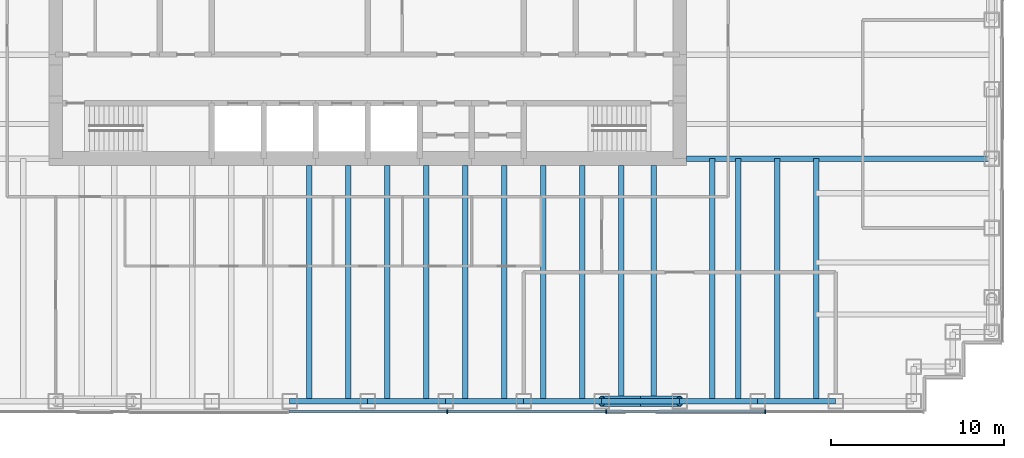
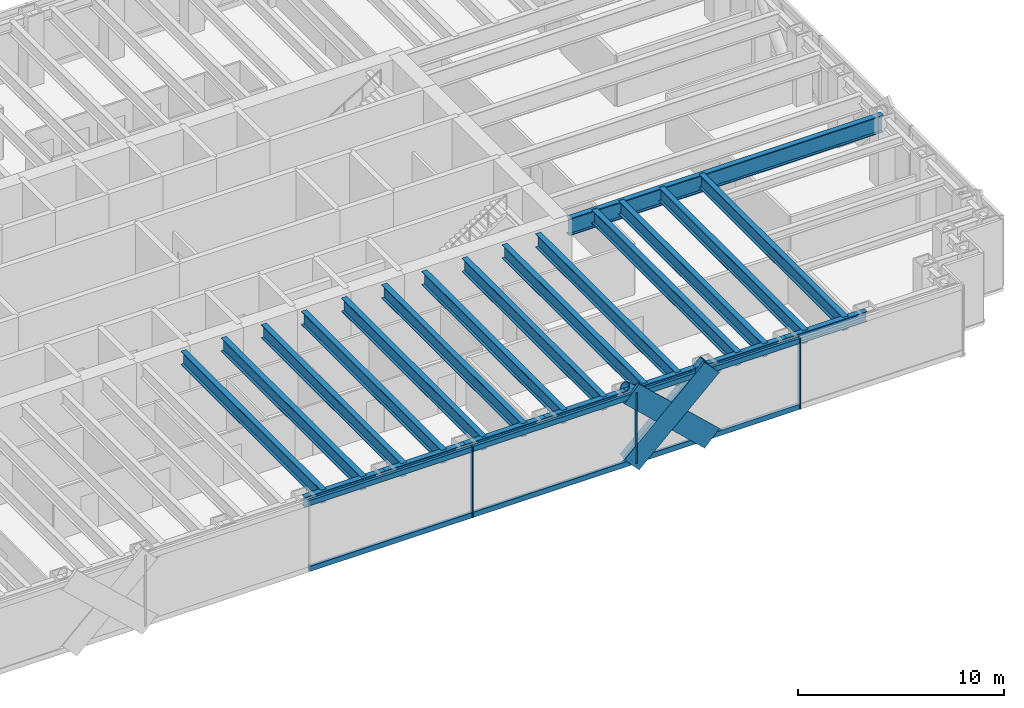
# One storey, part 3 of 15: 22 beams, 13 members, 1 element without a shape of its own.
"""IFC4 building model written with IfcOpenShell, lengths in metres."""

from ifc_helpers import new_model, si_unit, direction, frame, origin, origin_2d, place, context, subcontext, project, spatial, rectangle, hollow_circle, i_section, extrude, material, material_profile, profile_set, type_object, element, aggregate, save


model = new_model("IFC4")

# Units and contexts
model_context = context("Model", 3, precision=1e-05, world=origin(), true_north=direction((0.0, 1.0)))
body_context = subcontext(model_context, "Body", "Model", "MODEL_VIEW")
ifc_project = project(units=[si_unit("LENGTHUNIT", "METRE"), si_unit("AREAUNIT", "SQUARE_METRE"), si_unit("VOLUMEUNIT", "CUBIC_METRE"), si_unit("PLANEANGLEUNIT", "RADIAN"), si_unit("MASSUNIT", "GRAM", prefix="KILO")], contexts=[model_context])

# Site, building, storey
site_placement = place(None, origin())
site = spatial("IfcSite", under=ifc_project, at=site_placement, CompositionType="ELEMENT")
building_placement = place(site_placement, origin())
building = spatial("IfcBuilding", under=site, at=building_placement, Name="Rheinbord Bourse Tower", CompositionType="ELEMENT")
storey_placement = place(building_placement, frame((0.0, 0.0, 257.199951171875)))
storey = spatial("IfcBuildingStorey", under=building, at=storey_placement, Name="L58", CompositionType="ELEMENT", Elevation=257.199951171875)

# Curtain wall, members
ifc_material_1 = material(Name="Dark glass and black aluminium", Category="aluminium")
curtain_wall_type = type_object("IfcCurtainWallType", Name="CW2 DARK GLASS CURTAIN WALL", PredefinedType="USERDEFINED", material=ifc_material_1)
curtain_wall_placement = place(storey_placement, origin())
curtain_wall = element("IfcCurtainWall", 1, at=curtain_wall_placement, inside=storey, type_object=curtain_wall_type, Name="Curtain wall CW2 S L58", ObjectType="UNITISED CURTAIN WALL", PredefinedType="USERDEFINED")
ifc_material_2 = material(Name="Black anodised aluminium", Category="aluminium")
ifc_material_profile_1 = material_profile(ifc_material_2, rectangle(XDim=0.159912109375, YDim=1.2099609375, at=origin_2d()), Name="CW2 DIAGONAL MULLION 1210x160")
ifc_profile_set_1 = profile_set([ifc_material_profile_1], Name="Black anodised aluminium")
member_type_1 = type_object("IfcMemberType", Name="CW2 BLACK DIAGONAL MULLION", PredefinedType="USERDEFINED", material=ifc_profile_set_1)
member_1_placement = place(storey_placement, frame((54.0, 1.39990234375, 0.0), z_axis=(-0.73105922506, 0.0, 0.682314010889), x_axis=(0.0, -1.0, 0.0)))
member_1 = element("IfcMember", 2, at=member_1_placement, type_object=member_type_1, Name="CW2 diagonal mullion b", ObjectType="DIAGONAL MULLION", PredefinedType="USERDEFINED", context=body_context, shape_type="SweptSolid", body=[
    extrude(rectangle(XDim=0.159912109375, YDim=1.2099609375, at=origin_2d()), origin(), (0.0, 0.0, 1.0), 6.155517578125),
])
member_2_placement = place(storey_placement, frame((49.5, 1.39990234375, 0.0), z_axis=(0.73105922506, 0.0, 0.682314010889), x_axis=(0.0, 1.0, 0.0)))
member_2 = element("IfcMember", 3, at=member_2_placement, type_object=member_type_1, Name="CW2 diagonal mullion c", ObjectType="DIAGONAL MULLION", PredefinedType="USERDEFINED", context=body_context, shape_type="SweptSolid", body=[
    extrude(rectangle(XDim=0.159912109375, YDim=1.2099609375, at=origin_2d()), origin(), (0.0, 0.0, 1.0), 6.155517578125),
])
ifc_material_3 = material(Name="Black anodised aluminium", Category="aluminium")
ifc_material_profile_2 = material_profile(ifc_material_3, rectangle(XDim=0.219970703125, YDim=0.070068359375, at=origin_2d()), Name="CW2 MULLION 70x220")
ifc_profile_set_2 = profile_set([ifc_material_profile_2], Name="Black anodised aluminium")
member_type_2 = type_object("IfcMemberType", Name="CW2 BLACK MULLION", PredefinedType="MULLION", material=ifc_profile_set_2)
member_3_placement = place(storey_placement, frame((40.585693359375, 1.39990234375, 0.0), z_axis=(0.0, 0.0, 1.0), x_axis=(0.0, 1.0, 0.0)))
member_3 = element("IfcMember", 4, at=member_3_placement, type_object=member_type_2, Name="CW2 mullion 5", PredefinedType="MULLION", context=body_context, shape_type="SweptSolid", body=[
    extrude(rectangle(XDim=0.219970703125, YDim=0.070068359375, at=origin_2d()), origin(), (0.0, 0.0, 1.0), 4.199951171875),
])
member_4_placement = place(storey_placement, frame((49.757080078125, 1.39990234375, 0.0), z_axis=(0.0, 0.0, 1.0), x_axis=(0.0, 1.0, 0.0)))
member_4 = element("IfcMember", 5, at=member_4_placement, type_object=member_type_2, Name="CW2 mullion 6", PredefinedType="MULLION", context=body_context, shape_type="SweptSolid", body=[
    extrude(rectangle(XDim=0.219970703125, YDim=0.070068359375, at=origin_2d()), origin(), (0.0, 0.0, 1.0), 4.199951171875),
])
member_5_placement = place(storey_placement, frame((58.928466796875, 1.39990234375, 0.0), z_axis=(0.0, 0.0, 1.0), x_axis=(0.0, 1.0, 0.0)))
member_5 = element("IfcMember", 6, at=member_5_placement, type_object=member_type_2, Name="CW2 mullion 7", PredefinedType="MULLION", context=body_context, shape_type="SweptSolid", body=[
    extrude(rectangle(XDim=0.219970703125, YDim=0.070068359375, at=origin_2d()), origin(), (0.0, 0.0, 1.0), 4.199951171875),
])
ifc_material_4 = material(Name="Black anodised aluminium", Category="aluminium")
ifc_material_profile_3 = material_profile(ifc_material_4, rectangle(XDim=0.159912109375, YDim=0.300048828125, at=origin_2d()), Name="CW2 TRANSOM 300x160")
ifc_profile_set_3 = profile_set([ifc_material_profile_3], Name="Black anodised aluminium")
member_type_3 = type_object("IfcMemberType", Name="CW2 BLACK TRANSOM", PredefinedType="USERDEFINED", material=ifc_profile_set_3)
member_6_placement = place(storey_placement, frame((31.44921875, 1.39990234375, 0.150146484375), z_axis=(1.0, 0.0, 0.0), x_axis=(0.0, 1.0, 0.0)))
member_6 = element("IfcMember", 7, at=member_6_placement, type_object=member_type_3, Name="CW2 transom 4.1", ObjectType="TRANSOM", PredefinedType="USERDEFINED", context=body_context, shape_type="SweptSolid", body=[
    extrude(rectangle(XDim=0.159912109375, YDim=0.300048828125, at=origin_2d()), origin(), (0.0, 0.0, 1.0), 9.1015625),
])
member_7_placement = place(storey_placement, frame((31.44921875, 1.39990234375, 4.050048828125), z_axis=(1.0, 0.0, 0.0), x_axis=(0.0, 1.0, 0.0)))
member_7 = element("IfcMember", 8, at=member_7_placement, type_object=member_type_3, Name="CW2 transom 4.2", ObjectType="TRANSOM", PredefinedType="USERDEFINED", context=body_context, shape_type="SweptSolid", body=[
    extrude(rectangle(XDim=0.159912109375, YDim=0.300048828125, at=origin_2d()), origin(), (0.0, 0.0, 1.0), 9.1015625),
])
member_8_placement = place(storey_placement, frame((40.62060546875, 1.39990234375, 0.150146484375), z_axis=(1.0, 0.0, 0.0), x_axis=(0.0, 1.0, 0.0)))
member_8 = element("IfcMember", 9, at=member_8_placement, type_object=member_type_3, Name="CW2 transom 5.1", ObjectType="TRANSOM", PredefinedType="USERDEFINED", context=body_context, shape_type="SweptSolid", body=[
    extrude(rectangle(XDim=0.159912109375, YDim=0.300048828125, at=origin_2d()), origin(), (0.0, 0.0, 1.0), 9.1015625),
])
member_9_placement = place(storey_placement, frame((40.62060546875, 1.39990234375, 4.050048828125), z_axis=(1.0, 0.0, 0.0), x_axis=(0.0, 1.0, 0.0)))
member_9 = element("IfcMember", 10, at=member_9_placement, type_object=member_type_3, Name="CW2 transom 5.2", ObjectType="TRANSOM", PredefinedType="USERDEFINED", context=body_context, shape_type="SweptSolid", body=[
    extrude(rectangle(XDim=0.159912109375, YDim=0.300048828125, at=origin_2d()), origin(), (0.0, 0.0, 1.0), 9.1015625),
])
member_10_placement = place(storey_placement, frame((49.792236328125, 1.39990234375, 0.150146484375), z_axis=(1.0, 0.0, 0.0), x_axis=(0.0, 1.0, 0.0)))
member_10 = element("IfcMember", 11, at=member_10_placement, type_object=member_type_3, Name="CW2 transom 6.1", ObjectType="TRANSOM", PredefinedType="USERDEFINED", context=body_context, shape_type="SweptSolid", body=[
    extrude(rectangle(XDim=0.159912109375, YDim=0.300048828125, at=origin_2d()), origin(), (0.0, 0.0, 1.0), 9.101318359375),
])
member_11_placement = place(storey_placement, frame((49.792236328125, 1.39990234375, 4.050048828125), z_axis=(1.0, 0.0, 0.0), x_axis=(0.0, 1.0, 0.0)))
member_11 = element("IfcMember", 12, at=member_11_placement, type_object=member_type_3, Name="CW2 transom 6.2", ObjectType="TRANSOM", PredefinedType="USERDEFINED", context=body_context, shape_type="SweptSolid", body=[
    extrude(rectangle(XDim=0.159912109375, YDim=0.300048828125, at=origin_2d()), origin(), (0.0, 0.0, 1.0), 9.101318359375),
])
aggregate(curtain_wall, [member_3, member_4, member_5, member_6, member_7, member_8, member_9, member_10, member_11, member_1, member_2])

# Beams
ifc_material_5 = material(Name="Steel S460", Category="steel")
ifc_material_profile_4 = material_profile(ifc_material_5, i_section(OverallWidth=0.300048828125, OverallDepth=0.800048828125, WebThickness=0.017578125, FlangeThickness=0.032958984375, at=origin_2d()), Name="HEB 800")
ifc_profile_set_4 = profile_set([ifc_material_profile_4], Name="Steel S460")
beam_type_1 = type_object("IfcBeamType", Name="FLOOR BEAM HEB 800", PredefinedType="BEAM", material=ifc_profile_set_4)
for number, where, z_axis, x_axis, name in (
    (13, (32.625, 2.0, 3.64013671875), (0.0, 1.0, 0.0), (-1.0, 0.0, 0.0), "Floor beam S-31.5a L59"),
    (14, (34.875, 2.0, 3.64013671875), (0.0, 1.0, 0.0), (-1.0, 0.0, 0.0), "Floor beam S-31.5b L59"),
    (15, (37.125, 2.0, 3.64013671875), (0.0, 1.0, 0.0), (-1.0, 0.0, 0.0), "Floor beam S-36a L59"),
    (16, (39.375, 2.0, 3.64013671875), (0.0, 1.0, 0.0), (-1.0, 0.0, 0.0), "Floor beam S-36b L59"),
    (17, (41.625, 2.0, 3.64013671875), (0.0, 1.0, 0.0), (-1.0, 0.0, 0.0), "Floor beam S-40.5a L59"),
    (18, (43.875, 2.0, 3.64013671875), (0.0, 1.0, 0.0), (-1.0, 0.0, 0.0), "Floor beam S-40.5b L59"),
    (19, (46.125, 2.0, 3.64013671875), (0.0, 1.0, 0.0), (-1.0, 0.0, 0.0), "Floor beam S-45a L59"),
    (20, (48.375, 2.0, 3.64013671875), (0.0, 1.0, 0.0), (-1.0, 0.0, 0.0), "Floor beam S-45b L59"),
    (21, (50.625, 2.0, 3.64013671875), (0.0, 1.0, 0.0), (-1.0, 0.0, 0.0), "Floor beam S-49.5a L59"),
    (22, (52.5, 2.0, 3.64013671875), (0.0, 1.0, 0.0), (-1.0, 0.0, 0.0), "Floor beam S-49.5b L59"),
):
    element("IfcBeam", number, at=place(storey_placement, frame(where, z_axis=z_axis, x_axis=x_axis)), inside=storey, type_object=beam_type_1, Name=name, PredefinedType="BEAM", context=body_context, shape_type="SweptSolid", body=[
        extrude(i_section(OverallWidth=0.300048828125, OverallDepth=0.800048828125, WebThickness=0.017578125, FlangeThickness=0.032958984375, at=origin_2d()), origin(), (0.0, 0.0, 1.0), 13.60009765625),
    ])
for number, where, z_axis, x_axis, name in (
    (23, (55.875, 2.0, 3.64013671875), (0.0, 1.0, 0.0), (-1.0, 0.0, 0.0), "Floor beam S-54a L59"),
    (24, (57.375, 2.0, 3.64013671875), (0.0, 1.0, 0.0), (-1.0, 0.0, 0.0), "Floor beam S-54b L59"),
    (25, (59.625, 2.0, 3.64013671875), (0.0, 1.0, 0.0), (-1.0, 0.0, 0.0), "Floor beam S-58.5a L59"),
    (26, (61.875, 2.0, 3.64013671875), (0.0, 1.0, 0.0), (-1.0, 0.0, 0.0), "Floor beam S-58.5b L59"),
):
    element("IfcBeam", number, at=place(storey_placement, frame(where, z_axis=z_axis, x_axis=x_axis)), inside=storey, type_object=beam_type_1, Name=name, PredefinedType="BEAM", context=body_context, shape_type="SweptSolid", body=[
        extrude(i_section(OverallWidth=0.300048828125, OverallDepth=0.800048828125, WebThickness=0.017578125, FlangeThickness=0.032958984375, at=origin_2d()), origin(), (0.0, 0.0, 1.0), 14.0),
    ])
ifc_material_6 = material(Name="Steel S460", Category="steel")
ifc_material_profile_5 = material_profile(ifc_material_6, i_section(OverallWidth=0.302001953125, OverallDepth=1.008056640625, WebThickness=0.02099609375, FlangeThickness=0.0400390625, at=origin_2d()), Name="HEM 1000")
ifc_profile_set_5 = profile_set([ifc_material_profile_5], Name="Steel S460")
beam_type_2 = type_object("IfcBeamType", Name="GIRDER HEM 1000", PredefinedType="BEAM", material=ifc_profile_set_5)
beam_placement = place(storey_placement, frame((54.39990234375, 16.0, 3.5361328125), z_axis=(1.0, 0.0, 0.0), x_axis=(0.0, 1.0, 0.0)))
element("IfcBeam", 27, at=beam_placement, inside=storey, type_object=beam_type_2, Name="Girder east 16 L59", PredefinedType="BEAM", context=body_context, shape_type="SweptSolid", body=[
    extrude(i_section(OverallWidth=0.302001953125, OverallDepth=1.008056640625, WebThickness=0.02099609375, FlangeThickness=0.0400390625, at=origin_2d()), origin(), (0.0, 0.0, 1.0), 17.60009765625),
])

# Members
ifc_material_7 = material(Name="Steel S460", Category="steel")
ifc_material_profile_6 = material_profile(ifc_material_7, hollow_circle(Radius=0.304931640625, WallThickness=0.0400390625, at=origin_2d()), Name="CHS 610x40")
ifc_profile_set_6 = profile_set([ifc_material_profile_6], Name="Steel S460")
member_type_4 = type_object("IfcMemberType", Name="MEGABRACE CHS 610x40", PredefinedType="BRACE", material=ifc_profile_set_6)
for number, where, z_axis, x_axis, name in (
    (28, (54.0, 2.0, 0.0), (-0.73105922506, 0.0, 0.682314010889), (0.0, -1.0, 0.0), "Megabrace S face line b L58"),
    (29, (49.5, 2.0, 0.0), (0.73105922506, 0.0, 0.682314010889), (0.0, 1.0, 0.0), "Megabrace S face line c L58"),
):
    element("IfcMember", number, at=place(storey_placement, frame(where, z_axis=z_axis, x_axis=x_axis)), inside=storey, type_object=member_type_4, Name=name, PredefinedType="BRACE", context=body_context, shape_type="SweptSolid", body=[
        extrude(hollow_circle(Radius=0.304931640625, WallThickness=0.0400390625, at=origin_2d()), origin(), (0.0, 0.0, 1.0), 6.155517578125),
    ])

# Beams
ifc_material_8 = material(Name="Steel S460", Category="steel")
ifc_material_profile_7 = material_profile(ifc_material_8, i_section(OverallWidth=0.300048828125, OverallDepth=0.60009765625, WebThickness=0.015380859375, FlangeThickness=0.030029296875, at=origin_2d()), Name="HEB 600")
ifc_profile_set_7 = profile_set([ifc_material_profile_7], Name="Steel S460")
beam_type_3 = type_object("IfcBeamType", Name="SPANDREL HEB 600", PredefinedType="SPANDREL", material=ifc_profile_set_7)
for number, where, z_axis, x_axis, name in (
    (30, (31.5, 2.0, 3.739990234375), (1.0, 0.0, 0.0), (0.0, 1.0, 0.0), "Spandrel S-31.5-S-36 under L59"),
    (31, (36.0, 2.0, 3.739990234375), (1.0, 0.0, 0.0), (0.0, 1.0, 0.0), "Spandrel S-36-S-40.5 under L59"),
    (32, (40.5, 2.0, 3.739990234375), (1.0, 0.0, 0.0), (0.0, 1.0, 0.0), "Spandrel S-40.5-S-45 under L59"),
    (33, (45.0, 2.0, 3.739990234375), (1.0, 0.0, 0.0), (0.0, 1.0, 0.0), "Spandrel S-45-S-49.5 under L59"),
    (34, (49.5, 2.0, 3.739990234375), (1.0, 0.0, 0.0), (0.0, 1.0, 0.0), "Spandrel S-49.5-S-54 under L59"),
    (35, (54.0, 2.0, 3.739990234375), (1.0, 0.0, 0.0), (0.0, 1.0, 0.0), "Spandrel S-54-S-58.5 under L59"),
    (36, (58.5, 2.0, 3.739990234375), (1.0, 0.0, 0.0), (0.0, 1.0, 0.0), "Spandrel S-58.5-S-63 under L59"),
):
    element("IfcBeam", number, at=place(storey_placement, frame(where, z_axis=z_axis, x_axis=x_axis)), inside=storey, type_object=beam_type_3, Name=name, PredefinedType="SPANDREL", context=body_context, shape_type="SweptSolid", body=[
        extrude(i_section(OverallWidth=0.300048828125, OverallDepth=0.60009765625, WebThickness=0.015380859375, FlangeThickness=0.030029296875, at=origin_2d()), origin(), (0.0, 0.0, 1.0), 4.5),
    ])

save(model, "model.ifc")
